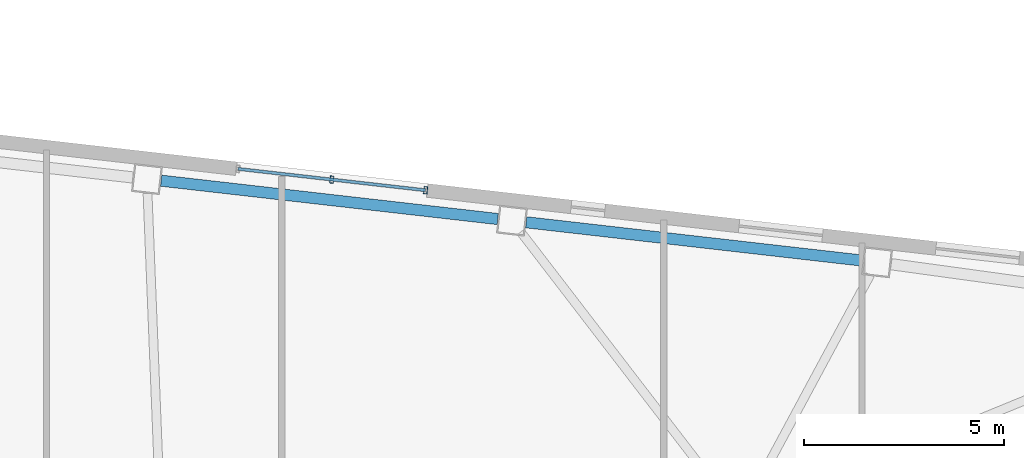
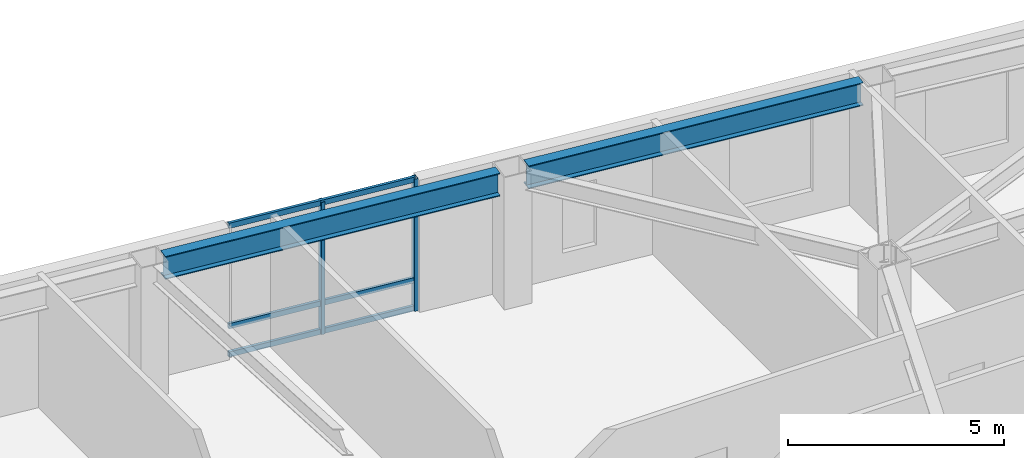
# One storey, part 9 of 21: 5 members, 2 beams, 1 element without a shape of its own.
"""IFC4 building model written with IfcOpenShell, lengths in metres."""

from ifc_helpers import new_model, si_unit, direction, frame, origin, origin_2d, place, context, subcontext, project, spatial, hollow_rectangle, i_section, extrude, material, layer, layer_set, material_profile, profile_set, type_object, element, aggregate, save


model = new_model("IFC4")

# Units and contexts
model_context = context("Model", 3, precision=1e-05, world=origin(), true_north=direction((0.0, 1.0)))
body_context = subcontext(model_context, "Body", "Model", "MODEL_VIEW")
ifc_project = project(units=[si_unit("LENGTHUNIT", "METRE"), si_unit("AREAUNIT", "SQUARE_METRE"), si_unit("VOLUMEUNIT", "CUBIC_METRE"), si_unit("PLANEANGLEUNIT", "RADIAN"), si_unit("MASSUNIT", "GRAM", prefix="KILO")], contexts=[model_context])

# Site, building, storey
site_placement = place(None, origin())
site = spatial("IfcSite", under=ifc_project, at=site_placement, CompositionType="ELEMENT")
building_placement = place(site_placement, origin())
building = spatial("IfcBuilding", under=site, at=building_placement, Name="Tavrogorsk Clinical Tower", CompositionType="ELEMENT")
storey_placement = place(building_placement, frame((0.0, 0.0, 133.39990234375)))
storey = spatial("IfcBuildingStorey", under=building, at=storey_placement, Name="L30", CompositionType="ELEMENT", Elevation=133.39990234375)

# Curtain wall, members
ifc_material_1 = material(Name="Anodised aluminium and triple IGU glazing", Category="aluminium")
ifc_layer = layer(ifc_material_1, 0.179931640625)
ifc_layer_set = layer_set([ifc_layer], Name="Anodised aluminium and triple IGU glazing")
curtain_wall_type = type_object("IfcCurtainWallType", Name="CW2_NorthSlot", PredefinedType="NOTDEFINED", material=ifc_layer_set)
curtain_wall_placement = place(storey_placement, origin())
curtain_wall = element("IfcCurtainWall", 1, at=curtain_wall_placement, inside=storey, type_object=curtain_wall_type, Name="L30 Curtain Wall CW-L30-N-SLOT-2", PredefinedType="NOTDEFINED")
ifc_material_2 = material(Name="Anodised aluminium alloy AW-6060", Category="aluminium")
ifc_material_profile_1 = material_profile(ifc_material_2, hollow_rectangle(XDim=0.090087890625, YDim=0.179931640625, WallThickness=0.00634765625, at=origin_2d()), Name="RHS-180x90x6.3")
ifc_profile_set_1 = profile_set([ifc_material_profile_1], Name="Anodised aluminium alloy AW-6060")
member_type_1 = type_object("IfcMemberType", Name="CwMullion_180x90", PredefinedType="MULLION", material=ifc_profile_set_1)
member_1_placement = place(storey_placement, frame((16.650146484375, 21.36572265625, 0.0), z_axis=(0.0, 0.0, 1.0), x_axis=(-0.993571855603, 0.11320321441, 0.0)))
member_1 = element("IfcMember", 2, at=member_1_placement, type_object=member_type_1, Name="CW-L30-N-SLOT-2 Mullion 1", PredefinedType="MULLION", context=body_context, shape_type="SweptSolid", body=[
    extrude(hollow_rectangle(XDim=0.090087890625, YDim=0.179931640625, WallThickness=0.00634765625, at=origin_2d()), origin(), (0.0, 0.0, 1.0), 3.739990234375),
])
member_2_placement = place(storey_placement, frame((14.306396484375, 21.6328125, 0.0), z_axis=(0.0, 0.0, 1.0), x_axis=(-0.993571855603, 0.11320321441, 0.0)))
member_2 = element("IfcMember", 3, at=member_2_placement, type_object=member_type_1, Name="CW-L30-N-SLOT-2 Mullion 2", PredefinedType="MULLION", context=body_context, shape_type="SweptSolid", body=[
    extrude(hollow_rectangle(XDim=0.090087890625, YDim=0.179931640625, WallThickness=0.00634765625, at=origin_2d()), origin(), (0.0, 0.0, 1.0), 3.739990234375),
])
ifc_material_3 = material(Name="Anodised aluminium alloy AW-6060", Category="aluminium")
ifc_material_profile_2 = material_profile(ifc_material_3, hollow_rectangle(XDim=0.074951171875, YDim=0.14990234375, WallThickness=0.0048828125, at=origin_2d()), Name="RHS-150x75x5")
ifc_profile_set_2 = profile_set([ifc_material_profile_2], Name="Anodised aluminium alloy AW-6060")
member_type_2 = type_object("IfcMemberType", Name="CwTransom_150x75", PredefinedType="USERDEFINED", material=ifc_profile_set_2)
member_3_placement = place(storey_placement, frame((16.650146484375, 21.36572265625, 0.050048828125), z_axis=(-0.993569315854, 0.113225503286, 0.0), x_axis=(-0.113225503286, -0.993569315854, 0.0)))
member_3 = element("IfcMember", 4, at=member_3_placement, type_object=member_type_2, Name="CW-L30-N-SLOT-2 Transom 1", ObjectType="TRANSOM", PredefinedType="USERDEFINED", context=body_context, shape_type="SweptSolid", body=[
    extrude(hollow_rectangle(XDim=0.074951171875, YDim=0.14990234375, WallThickness=0.0048828125, at=origin_2d()), origin(), (0.0, 0.0, 1.0), 4.7177734375),
])
member_4_placement = place(storey_placement, frame((16.650146484375, 21.36572265625, 0.85009765625), z_axis=(-0.993569315854, 0.113225503286, 0.0), x_axis=(-0.113225503286, -0.993569315854, 0.0)))
member_4 = element("IfcMember", 5, at=member_4_placement, type_object=member_type_2, Name="CW-L30-N-SLOT-2 Transom 2", ObjectType="TRANSOM", PredefinedType="USERDEFINED", context=body_context, shape_type="SweptSolid", body=[
    extrude(hollow_rectangle(XDim=0.074951171875, YDim=0.14990234375, WallThickness=0.0048828125, at=origin_2d()), origin(), (0.0, 0.0, 1.0), 4.7177734375),
])
member_5_placement = place(storey_placement, frame((16.650146484375, 21.36572265625, 3.690185546875), z_axis=(-0.993569315854, 0.113225503286, 0.0), x_axis=(-0.113225503286, -0.993569315854, 0.0)))
member_5 = element("IfcMember", 6, at=member_5_placement, type_object=member_type_2, Name="CW-L30-N-SLOT-2 Transom 3", ObjectType="TRANSOM", PredefinedType="USERDEFINED", context=body_context, shape_type="SweptSolid", body=[
    extrude(hollow_rectangle(XDim=0.074951171875, YDim=0.14990234375, WallThickness=0.0048828125, at=origin_2d()), origin(), (0.0, 0.0, 1.0), 4.7177734375),
])
aggregate(curtain_wall, [member_1, member_2, member_3, member_4, member_5])

# Beams
ifc_material_4 = material(Name="Structural steel S390", Category="steel")
ifc_material_profile_3 = material_profile(ifc_material_4, i_section(OverallWidth=0.280029296875, OverallDepth=0.64990234375, WebThickness=0.01611328125, FlangeThickness=0.02490234375, at=origin_2d()), Name="B-650x280x16x25")
ifc_profile_set_3 = profile_set([ifc_material_profile_3], Name="Structural steel S390")
beam_type = type_object("IfcBeamType", Name="SpandrelBeam_B650", PredefinedType="SPANDREL", material=ifc_profile_set_3)
beam_1_placement = place(storey_placement, frame((27.5703125, 19.608154296875, 3.4150390625), z_axis=(-0.993569819641, 0.113221082395, 0.0), x_axis=(-0.113221082395, -0.993569819641, 0.0)))
element("IfcBeam", 7, at=beam_1_placement, inside=storey, type_object=beam_type, Name="L30 Perimeter Spandrel N2-N3", PredefinedType="SPANDREL", context=body_context, shape_type="SweptSolid", body=[
    extrude(i_section(OverallWidth=0.280029296875, OverallDepth=0.64990234375, WebThickness=0.01611328125, FlangeThickness=0.02490234375, at=origin_2d()), origin(), (0.0, 0.0, 1.0), 8.46142578125),
])
beam_2_placement = place(storey_placement, frame((18.451904296875, 20.647216796875, 3.4150390625), z_axis=(-0.99357232562, 0.113199089054, 0.0), x_axis=(-0.113199089054, -0.99357232562, 0.0)))
element("IfcBeam", 8, at=beam_2_placement, inside=storey, type_object=beam_type, Name="L30 Perimeter Spandrel N3-N4", PredefinedType="SPANDREL", context=body_context, shape_type="SweptSolid", body=[
    extrude(i_section(OverallWidth=0.280029296875, OverallDepth=0.64990234375, WebThickness=0.01611328125, FlangeThickness=0.02490234375, at=origin_2d()), origin(), (0.0, 0.0, 1.0), 8.4609375),
])

save(model, "model.ifc")
